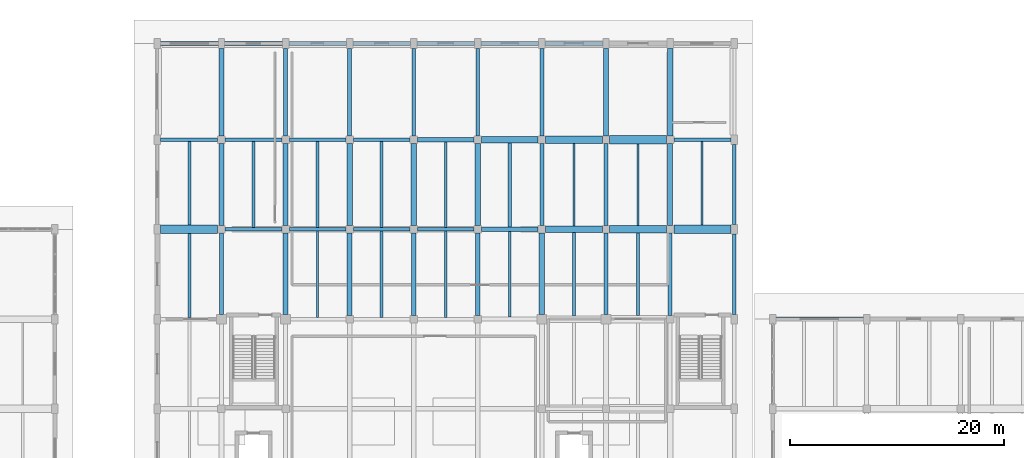
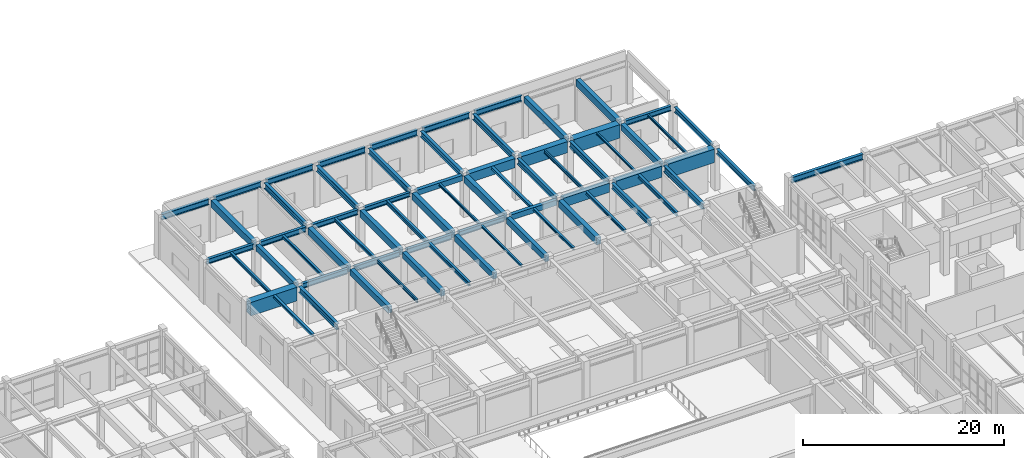
# One storey, part 49 of 91: 68 beams.
"""IFC4 building model written with IfcOpenShell, lengths in metres."""

from ifc_helpers import new_model, si_unit, direction, frame, origin, origin_2d, place, context, subcontext, project, spatial, rectangle, i_section, extrude, material, material_profile, profile_set, type_object, element, save


model = new_model("IFC4")

# Units and contexts
model_context = context("Model", 3, precision=1e-05, world=origin(), true_north=direction((0.0, 1.0)))
body_context = subcontext(model_context, "Body", "Model", "MODEL_VIEW")
ifc_project = project(units=[si_unit("LENGTHUNIT", "METRE"), si_unit("AREAUNIT", "SQUARE_METRE"), si_unit("VOLUMEUNIT", "CUBIC_METRE"), si_unit("PLANEANGLEUNIT", "RADIAN"), si_unit("MASSUNIT", "GRAM", prefix="KILO")], contexts=[model_context])

# Site, building, storey
site_placement = place(None, origin())
site = spatial("IfcSite", under=ifc_project, at=site_placement, CompositionType="ELEMENT")
building_placement = place(site_placement, origin())
building = spatial("IfcBuilding", under=site, at=building_placement, Name="Vaelkrest Opera House", CompositionType="ELEMENT")
storey_placement = place(building_placement, origin())
storey = spatial("IfcBuildingStorey", under=building, at=storey_placement, Name="L00", CompositionType="ELEMENT", Elevation=0.0)

# Beams
ifc_material_1 = material(Name="Concrete C50/60", Category="concrete")
ifc_material_profile_1 = material_profile(ifc_material_1, rectangle(XDim=0.39990234375, YDim=0.64990234375, at=origin_2d()), Name="RCB400X650")
ifc_profile_set_1 = profile_set([ifc_material_profile_1], Name="Concrete C50/60")
beam_type_1 = type_object("IfcBeamType", Name="B01", PredefinedType="BEAM", material=ifc_profile_set_1)
for number, where, z_axis, x_axis, name in (
    (1, (6.35009765625, 42.0, 4.7548828125), (1.0, 0.0, 0.0), (0.0, 1.0, 0.0), "Beam BM-V2-L00-0773"),
    (2, (0.35009765625, 50.39990234375, 4.7548828125), (1.0, 0.0, 0.0), (0.0, 1.0, 0.0), "Beam BM-V2-L00-0781"),
):
    element("IfcBeam", number, at=place(storey_placement, frame(where, z_axis=z_axis, x_axis=x_axis)), inside=storey, type_object=beam_type_1, Name=name, PredefinedType="BEAM", context=body_context, shape_type="SweptSolid", body=[
        extrude(rectangle(XDim=0.39990234375, YDim=0.64990234375, at=origin_2d()), origin(), (0.0, 0.0, 1.0), 5.2998046875),
    ])
ifc_material_profile_2 = material_profile(ifc_material_1, rectangle(XDim=0.449951171875, YDim=0.75, at=origin_2d()), Name="RCB450X750")
ifc_profile_set_2 = profile_set([ifc_material_profile_2], Name="Concrete C50/60")
beam_type_2 = type_object("IfcBeamType", Name="B02", PredefinedType="BEAM", material=ifc_profile_set_2)
beam_1_placement = place(storey_placement, frame((-18.0, 42.35009765625, 4.705078125), z_axis=(0.0, 1.0, 0.0), x_axis=(-1.0, 0.0, 0.0)))
element("IfcBeam", 3, at=beam_1_placement, inside=storey, type_object=beam_type_2, Name="Beam BM-V2-L00-0803", PredefinedType="BEAM", context=body_context, shape_type="SweptSolid", body=[
    extrude(rectangle(XDim=0.449951171875, YDim=0.75, at=origin_2d()), origin(), (0.0, 0.0, 1.0), 7.699951171875),
])
beam_2_placement = place(storey_placement, frame((-12.0, 34.050048828125, 4.705078125), z_axis=(0.0, 1.0, 0.0), x_axis=(-1.0, 0.0, 0.0)))
element("IfcBeam", 4, at=beam_2_placement, inside=storey, type_object=beam_type_2, Name="Beam BM-V2-L00-0807", PredefinedType="BEAM", context=body_context, shape_type="SweptSolid", body=[
    extrude(rectangle(XDim=0.449951171875, YDim=0.75, at=origin_2d()), origin(), (0.0, 0.0, 1.0), 7.599853515625),
])
for number, where, z_axis, x_axis, name in (
    (5, (-6.0, 33.949951171875, 4.705078125), (0.0, 1.0, 0.0), (-1.0, 0.0, 0.0), "Beam BM-V2-L00-0811"),
    (6, (0.0, 33.949951171875, 4.705078125), (0.0, 1.0, 0.0), (-1.0, 0.0, 0.0), "Beam BM-V2-L00-0815"),
    (7, (6.0, 33.949951171875, 4.705078125), (0.0, 1.0, 0.0), (-1.0, 0.0, 0.0), "Beam BM-V2-L00-0819"),
):
    element("IfcBeam", number, at=place(storey_placement, frame(where, z_axis=z_axis, x_axis=x_axis)), inside=storey, type_object=beam_type_2, Name=name, PredefinedType="BEAM", context=body_context, shape_type="SweptSolid", body=[
        extrude(rectangle(XDim=0.449951171875, YDim=0.75, at=origin_2d()), origin(), (0.0, 0.0, 1.0), 7.699951171875),
    ])
beam_3_placement = place(storey_placement, frame((18.0, 50.75, 4.72998046875), z_axis=(0.0, 1.0, 0.0), x_axis=(-1.0, 0.0, 0.0)))
element("IfcBeam", 8, at=beam_3_placement, inside=storey, type_object=beam_type_2, Name="Beam BM-V2-L00-0831", PredefinedType="BEAM", context=body_context, shape_type="SweptSolid", body=[
    extrude(rectangle(XDim=0.449951171875, YDim=0.75, at=origin_2d()), origin(), (0.0, 0.0, 1.0), 8.199951171875),
])
beam_4_placement = place(storey_placement, frame((24.0, 42.35009765625, 4.705078125), z_axis=(0.0, 1.0, 0.0), x_axis=(-1.0, 0.0, 0.0)))
element("IfcBeam", 9, at=beam_4_placement, inside=storey, type_object=beam_type_2, Name="Beam BM-V2-L00-0835", PredefinedType="BEAM", context=body_context, shape_type="SweptSolid", body=[
    extrude(rectangle(XDim=0.449951171875, YDim=0.75, at=origin_2d()), origin(), (0.0, 0.0, 1.0), 7.699951171875),
])
ifc_material_profile_3 = material_profile(ifc_material_1, rectangle(XDim=0.5, YDim=0.85009765625, at=origin_2d()), Name="RCB500X850")
ifc_profile_set_3 = profile_set([ifc_material_profile_3], Name="Concrete C50/60")
beam_type_3 = type_object("IfcBeamType", Name="B03", PredefinedType="BEAM", material=ifc_profile_set_3)
beam_5_placement = place(storey_placement, frame((-18.0, 50.75, 4.679931640625), z_axis=(0.0, 1.0, 0.0), x_axis=(-1.0, 0.0, 0.0)))
element("IfcBeam", 10, at=beam_5_placement, inside=storey, type_object=beam_type_3, Name="Beam BM-V2-L00-0804", PredefinedType="BEAM", context=body_context, shape_type="SweptSolid", body=[
    extrude(rectangle(XDim=0.5, YDim=0.85009765625, at=origin_2d()), origin(), (0.0, 0.0, 1.0), 8.199951171875),
])
for number, where, z_axis, x_axis, name in (
    (11, (-12.0, 42.35009765625, 4.655029296875), (0.0, 1.0, 0.0), (-1.0, 0.0, 0.0), "Beam BM-V2-L00-0808"),
    (12, (-6.0, 42.35009765625, 4.655029296875), (0.0, 1.0, 0.0), (-1.0, 0.0, 0.0), "Beam BM-V2-L00-0812"),
    (13, (0.0, 42.35009765625, 4.655029296875), (0.0, 1.0, 0.0), (-1.0, 0.0, 0.0), "Beam BM-V2-L00-0816"),
    (14, (6.0, 42.35009765625, 4.655029296875), (0.0, 1.0, 0.0), (-1.0, 0.0, 0.0), "Beam BM-V2-L00-0820"),
):
    element("IfcBeam", number, at=place(storey_placement, frame(where, z_axis=z_axis, x_axis=x_axis)), inside=storey, type_object=beam_type_3, Name=name, PredefinedType="BEAM", context=body_context, shape_type="SweptSolid", body=[
        extrude(rectangle(XDim=0.5, YDim=0.85009765625, at=origin_2d()), origin(), (0.0, 0.0, 1.0), 7.699951171875),
    ])
beam_6_placement = place(storey_placement, frame((12.0, 34.050048828125, 4.655029296875), z_axis=(0.0, 1.0, 0.0), x_axis=(-1.0, 0.0, 0.0)))
element("IfcBeam", 15, at=beam_6_placement, inside=storey, type_object=beam_type_3, Name="Beam BM-V2-L00-0824", PredefinedType="BEAM", context=body_context, shape_type="SweptSolid", body=[
    extrude(rectangle(XDim=0.5, YDim=0.85009765625, at=origin_2d()), origin(), (0.0, 0.0, 1.0), 7.599853515625),
])
beam_7_placement = place(storey_placement, frame((24.0, 50.75, 4.679931640625), z_axis=(0.0, 1.0, 0.0), x_axis=(-1.0, 0.0, 0.0)))
element("IfcBeam", 16, at=beam_7_placement, inside=storey, type_object=beam_type_3, Name="Beam BM-V2-L00-0836", PredefinedType="BEAM", context=body_context, shape_type="SweptSolid", body=[
    extrude(rectangle(XDim=0.5, YDim=0.85009765625, at=origin_2d()), origin(), (0.0, 0.0, 1.0), 8.199951171875),
])
ifc_material_profile_4 = material_profile(ifc_material_1, rectangle(XDim=0.60009765625, YDim=1.10009765625, at=origin_2d()), Name="RCB600X1100")
ifc_profile_set_4 = profile_set([ifc_material_profile_4], Name="Concrete C50/60")
beam_type_4 = type_object("IfcBeamType", Name="B05", PredefinedType="BEAM", material=ifc_profile_set_4)
for number, where, z_axis, x_axis, name in (
    (17, (12.35009765625, 42.0, 4.530029296875), (1.0, 0.0, 0.0), (0.0, 1.0, 0.0), "Beam BM-V2-L00-0774"),
    (18, (6.35009765625, 50.39990234375, 4.530029296875), (1.0, 0.0, 0.0), (0.0, 1.0, 0.0), "Beam BM-V2-L00-0782"),
):
    element("IfcBeam", number, at=place(storey_placement, frame(where, z_axis=z_axis, x_axis=x_axis)), inside=storey, type_object=beam_type_4, Name=name, PredefinedType="BEAM", context=body_context, shape_type="SweptSolid", body=[
        extrude(rectangle(XDim=0.60009765625, YDim=1.10009765625, at=origin_2d()), origin(), (0.0, 0.0, 1.0), 5.2998046875),
    ])
ifc_material_profile_5 = material_profile(ifc_material_1, rectangle(XDim=0.699951171875, YDim=1.35009765625, at=origin_2d()), Name="RCB700X1350")
ifc_profile_set_5 = profile_set([ifc_material_profile_5], Name="Concrete C50/60")
beam_type_5 = type_object("IfcBeamType", Name="B06", PredefinedType="BEAM", material=ifc_profile_set_5)
for number, where, z_axis, x_axis, name in (
    (19, (18.35009765625, 42.0, 4.405029296875), (1.0, 0.0, 0.0), (0.0, 1.0, 0.0), "Beam BM-V2-L00-0775"),
    (20, (12.35009765625, 50.39990234375, 4.405029296875), (1.0, 0.0, 0.0), (0.0, 1.0, 0.0), "Beam BM-V2-L00-0783"),
):
    element("IfcBeam", number, at=place(storey_placement, frame(where, z_axis=z_axis, x_axis=x_axis)), inside=storey, type_object=beam_type_5, Name=name, PredefinedType="BEAM", context=body_context, shape_type="SweptSolid", body=[
        extrude(rectangle(XDim=0.699951171875, YDim=1.35009765625, at=origin_2d()), origin(), (0.0, 0.0, 1.0), 5.2998046875),
    ])
ifc_material_profile_6 = material_profile(ifc_material_1, rectangle(XDim=0.800048828125, YDim=1.64990234375, at=origin_2d()), Name="RCB800X1650")
ifc_profile_set_6 = profile_set([ifc_material_profile_6], Name="Concrete C50/60")
beam_type_6 = type_object("IfcBeamType", Name="B07", PredefinedType="BEAM", material=ifc_profile_set_6)
for number, where, z_axis, x_axis, name in (
    (21, (-23.699951171875, 42.0, 4.2548828125), (1.0, 0.0, 0.0), (0.0, 1.0, 0.0), "Beam BM-V2-L00-0768"),
    (22, (24.35009765625, 42.0, 4.2548828125), (1.0, 0.0, 0.0), (0.0, 1.0, 0.0), "Beam BM-V2-L00-0776"),
):
    element("IfcBeam", number, at=place(storey_placement, frame(where, z_axis=z_axis, x_axis=x_axis)), inside=storey, type_object=beam_type_6, Name=name, PredefinedType="BEAM", context=body_context, shape_type="SweptSolid", body=[
        extrude(rectangle(XDim=0.800048828125, YDim=1.64990234375, at=origin_2d()), origin(), (0.0, 0.0, 1.0), 5.349853515625),
    ])
beam_8_placement = place(storey_placement, frame((18.35009765625, 50.39990234375, 4.2548828125), z_axis=(1.0, 0.0, 0.0), x_axis=(0.0, 1.0, 0.0)))
element("IfcBeam", 23, at=beam_8_placement, inside=storey, type_object=beam_type_6, Name="Beam BM-V2-L00-0784", PredefinedType="BEAM", context=body_context, shape_type="SweptSolid", body=[
    extrude(rectangle(XDim=0.800048828125, YDim=1.64990234375, at=origin_2d()), origin(), (0.0, 0.0, 1.0), 5.2998046875),
])
ifc_material_2 = material(Name="Steel A992 Gr50", Category="steel")
ifc_material_profile_7 = material_profile(ifc_material_2, i_section(OverallWidth=0.323974609375, OverallDepth=0.611083984375, WebThickness=0.0126953125, FlangeThickness=0.01904296875, at=origin_2d()), Name="W24X104")
ifc_profile_set_7 = profile_set([ifc_material_profile_7], Name="Steel A992 Gr50")
beam_type_7 = type_object("IfcBeamType", Name="B08", PredefinedType="BEAM", material=ifc_profile_set_7)
beam_9_placement = place(storey_placement, frame((-17.64990234375, 42.0, 4.7744140625), z_axis=(1.0, 0.0, 0.0), x_axis=(0.0, 1.0, 0.0)))
element("IfcBeam", 24, at=beam_9_placement, inside=storey, type_object=beam_type_7, Name="Beam BM-V2-L00-0769", PredefinedType="BEAM", context=body_context, shape_type="SweptSolid", body=[
    extrude(i_section(OverallWidth=0.323974609375, OverallDepth=0.611083984375, WebThickness=0.0126953125, FlangeThickness=0.01904296875, at=origin_2d()), origin(), (0.0, 0.0, 1.0), 5.2998046875),
])
for number, where, z_axis, x_axis, name in (
    (25, (-23.699951171875, 50.39990234375, 4.7744140625), (1.0, 0.0, 0.0), (0.0, 1.0, 0.0), "Beam BM-V2-L00-0777"),
    (26, (24.35009765625, 50.39990234375, 4.7744140625), (1.0, 0.0, 0.0), (0.0, 1.0, 0.0), "Beam BM-V2-L00-0785"),
):
    element("IfcBeam", number, at=place(storey_placement, frame(where, z_axis=z_axis, x_axis=x_axis)), inside=storey, type_object=beam_type_7, Name=name, PredefinedType="BEAM", context=body_context, shape_type="SweptSolid", body=[
        extrude(i_section(OverallWidth=0.323974609375, OverallDepth=0.611083984375, WebThickness=0.0126953125, FlangeThickness=0.01904296875, at=origin_2d()), origin(), (0.0, 0.0, 1.0), 5.349853515625),
    ])
ifc_material_profile_8 = material_profile(ifc_material_2, i_section(OverallWidth=0.327880859375, OverallDepth=0.6279296875, WebThickness=0.0166015625, FlangeThickness=0.027587890625, at=origin_2d()), Name="W24X146")
ifc_profile_set_8 = profile_set([ifc_material_profile_8], Name="Steel A992 Gr50")
beam_type_8 = type_object("IfcBeamType", Name="B09", PredefinedType="BEAM", material=ifc_profile_set_8)
for number, where, z_axis, x_axis, name in (
    (27, (-11.64990234375, 42.0, 4.76611328125), (1.0, 0.0, 0.0), (0.0, 1.0, 0.0), "Beam BM-V2-L00-0770"),
    (28, (-17.64990234375, 50.39990234375, 4.76611328125), (1.0, 0.0, 0.0), (0.0, 1.0, 0.0), "Beam BM-V2-L00-0778"),
):
    element("IfcBeam", number, at=place(storey_placement, frame(where, z_axis=z_axis, x_axis=x_axis)), inside=storey, type_object=beam_type_8, Name=name, PredefinedType="BEAM", context=body_context, shape_type="SweptSolid", body=[
        extrude(i_section(OverallWidth=0.327880859375, OverallDepth=0.6279296875, WebThickness=0.0166015625, FlangeThickness=0.027587890625, at=origin_2d()), origin(), (0.0, 0.0, 1.0), 5.2998046875),
    ])
ifc_material_profile_9 = material_profile(ifc_material_2, i_section(OverallWidth=0.35498046875, OverallDepth=0.695068359375, WebThickness=0.015380859375, FlangeThickness=0.02490234375, at=origin_2d()), Name="W27X146")
ifc_profile_set_9 = profile_set([ifc_material_profile_9], Name="Steel A992 Gr50")
beam_type_9 = type_object("IfcBeamType", Name="B10", PredefinedType="BEAM", material=ifc_profile_set_9)
for number, where, z_axis, x_axis, name in (
    (29, (-12.0, 50.75, 4.757568359375), (0.0, 1.0, 0.0), (-1.0, 0.0, 0.0), "Beam BM-V2-L00-0809"),
    (30, (-6.0, 50.75, 4.757568359375), (0.0, 1.0, 0.0), (-1.0, 0.0, 0.0), "Beam BM-V2-L00-0813"),
    (31, (0.0, 50.75, 4.757568359375), (0.0, 1.0, 0.0), (-1.0, 0.0, 0.0), "Beam BM-V2-L00-0817"),
    (32, (6.0, 50.75, 4.757568359375), (0.0, 1.0, 0.0), (-1.0, 0.0, 0.0), "Beam BM-V2-L00-0821"),
):
    element("IfcBeam", number, at=place(storey_placement, frame(where, z_axis=z_axis, x_axis=x_axis)), inside=storey, type_object=beam_type_9, Name=name, PredefinedType="BEAM", context=body_context, shape_type="SweptSolid", body=[
        extrude(i_section(OverallWidth=0.35498046875, OverallDepth=0.695068359375, WebThickness=0.015380859375, FlangeThickness=0.02490234375, at=origin_2d()), origin(), (0.0, 0.0, 1.0), 8.199951171875),
    ])
beam_10_placement = place(storey_placement, frame((12.0, 42.35009765625, 4.732421875), z_axis=(0.0, 1.0, 0.0), x_axis=(-1.0, 0.0, 0.0)))
element("IfcBeam", 33, at=beam_10_placement, inside=storey, type_object=beam_type_9, Name="Beam BM-V2-L00-0825", PredefinedType="BEAM", context=body_context, shape_type="SweptSolid", body=[
    extrude(i_section(OverallWidth=0.35498046875, OverallDepth=0.695068359375, WebThickness=0.015380859375, FlangeThickness=0.02490234375, at=origin_2d()), origin(), (0.0, 0.0, 1.0), 7.699951171875),
])
beam_11_placement = place(storey_placement, frame((18.0, 34.050048828125, 4.732421875), z_axis=(0.0, 1.0, 0.0), x_axis=(-1.0, 0.0, 0.0)))
element("IfcBeam", 34, at=beam_11_placement, inside=storey, type_object=beam_type_9, Name="Beam BM-V2-L00-0829", PredefinedType="BEAM", context=body_context, shape_type="SweptSolid", body=[
    extrude(i_section(OverallWidth=0.35498046875, OverallDepth=0.695068359375, WebThickness=0.015380859375, FlangeThickness=0.02490234375, at=origin_2d()), origin(), (0.0, 0.0, 1.0), 7.599853515625),
])
ifc_material_profile_10 = material_profile(ifc_material_2, i_section(OverallWidth=0.35791015625, OverallDepth=0.7060546875, WebThickness=0.018310546875, FlangeThickness=0.0302734375, at=origin_2d()), Name="W27X178")
ifc_profile_set_10 = profile_set([ifc_material_profile_10], Name="Steel A992 Gr50")
beam_type_10 = type_object("IfcBeamType", Name="B14", PredefinedType="BEAM", material=ifc_profile_set_10)
beam_12_placement = place(storey_placement, frame((-18.0, 34.050048828125, 4.72705078125), z_axis=(0.0, 1.0, 0.0), x_axis=(-1.0, 0.0, 0.0)))
element("IfcBeam", 35, at=beam_12_placement, inside=storey, type_object=beam_type_10, Name="Beam BM-V2-L00-0802", PredefinedType="BEAM", context=body_context, shape_type="SweptSolid", body=[
    extrude(i_section(OverallWidth=0.35791015625, OverallDepth=0.7060546875, WebThickness=0.018310546875, FlangeThickness=0.0302734375, at=origin_2d()), origin(), (0.0, 0.0, 1.0), 7.599853515625),
])
beam_13_placement = place(storey_placement, frame((12.0, 50.75, 4.751953125), z_axis=(0.0, 1.0, 0.0), x_axis=(-1.0, 0.0, 0.0)))
element("IfcBeam", 36, at=beam_13_placement, inside=storey, type_object=beam_type_10, Name="Beam BM-V2-L00-0826", PredefinedType="BEAM", context=body_context, shape_type="SweptSolid", body=[
    extrude(i_section(OverallWidth=0.35791015625, OverallDepth=0.7060546875, WebThickness=0.018310546875, FlangeThickness=0.0302734375, at=origin_2d()), origin(), (0.0, 0.0, 1.0), 8.199951171875),
])
for number, where, z_axis, x_axis, name in (
    (37, (18.0, 42.35009765625, 4.72705078125), (0.0, 1.0, 0.0), (-1.0, 0.0, 0.0), "Beam BM-V2-L00-0830"),
    (38, (24.0, 33.949951171875, 4.72705078125), (0.0, 1.0, 0.0), (-1.0, 0.0, 0.0), "Beam BM-V2-L00-0834"),
):
    element("IfcBeam", number, at=place(storey_placement, frame(where, z_axis=z_axis, x_axis=x_axis)), inside=storey, type_object=beam_type_10, Name=name, PredefinedType="BEAM", context=body_context, shape_type="SweptSolid", body=[
        extrude(i_section(OverallWidth=0.35791015625, OverallDepth=0.7060546875, WebThickness=0.018310546875, FlangeThickness=0.0302734375, at=origin_2d()), origin(), (0.0, 0.0, 1.0), 7.699951171875),
    ])
ifc_material_profile_11 = material_profile(ifc_material_2, i_section(OverallWidth=0.326904296875, OverallDepth=0.6220703125, WebThickness=0.015380859375, FlangeThickness=0.0244140625, at=origin_2d()), Name="W24X131")
ifc_profile_set_11 = profile_set([ifc_material_profile_11], Name="Steel A992 Gr50")
beam_type_11 = type_object("IfcBeamType", Name="B19", PredefinedType="BEAM", material=ifc_profile_set_11)
for number, where, z_axis, x_axis, name in (
    (39, (-5.64990234375, 42.0, 4.76904296875), (1.0, 0.0, 0.0), (0.0, 1.0, 0.0), "Beam BM-V2-L00-0771"),
    (40, (-11.64990234375, 50.39990234375, 4.76904296875), (1.0, 0.0, 0.0), (0.0, 1.0, 0.0), "Beam BM-V2-L00-0779"),
):
    element("IfcBeam", number, at=place(storey_placement, frame(where, z_axis=z_axis, x_axis=x_axis)), inside=storey, type_object=beam_type_11, Name=name, PredefinedType="BEAM", context=body_context, shape_type="SweptSolid", body=[
        extrude(i_section(OverallWidth=0.326904296875, OverallDepth=0.6220703125, WebThickness=0.015380859375, FlangeThickness=0.0244140625, at=origin_2d()), origin(), (0.0, 0.0, 1.0), 5.2998046875),
    ])
ifc_material_profile_12 = material_profile(ifc_material_2, i_section(OverallWidth=0.31494140625, OverallDepth=0.551025390625, WebThickness=0.01513671875, FlangeThickness=0.0244140625, at=origin_2d()), Name="W21X122")
ifc_profile_set_12 = profile_set([ifc_material_profile_12], Name="Steel A992 Gr50")
beam_type_12 = type_object("IfcBeamType", Name="B20", PredefinedType="BEAM", material=ifc_profile_set_12)
for number, where, z_axis, x_axis, name in (
    (41, (0.35009765625, 42.0, 4.804443359375), (1.0, 0.0, 0.0), (0.0, 1.0, 0.0), "Beam BM-V2-L00-0772"),
    (42, (-5.64990234375, 50.39990234375, 4.804443359375), (1.0, 0.0, 0.0), (0.0, 1.0, 0.0), "Beam BM-V2-L00-0780"),
):
    element("IfcBeam", number, at=place(storey_placement, frame(where, z_axis=z_axis, x_axis=x_axis)), inside=storey, type_object=beam_type_12, Name=name, PredefinedType="BEAM", context=body_context, shape_type="SweptSolid", body=[
        extrude(i_section(OverallWidth=0.31494140625, OverallDepth=0.551025390625, WebThickness=0.01513671875, FlangeThickness=0.0244140625, at=origin_2d()), origin(), (0.0, 0.0, 1.0), 5.2998046875),
    ])
ifc_material_profile_13 = material_profile(ifc_material_2, i_section(OverallWidth=0.2041015625, OverallDepth=0.257080078125, WebThickness=0.0087890625, FlangeThickness=0.015625, at=origin_2d()), Name="W10X45")
ifc_profile_set_13 = profile_set([ifc_material_profile_13], Name="Steel A992 Gr50")
beam_type_13 = type_object("IfcBeamType", Name="J01", PredefinedType="JOIST", material=ifc_profile_set_13)
beam_14_placement = place(storey_placement, frame((3.0, 33.757568359375, 4.951416015625), z_axis=(0.0, 1.0, 0.0), x_axis=(-1.0, 0.0, 0.0)))
element("IfcBeam", 43, at=beam_14_placement, inside=storey, type_object=beam_type_13, Name="Floor joist JST-V2-L00-0851", PredefinedType="JOIST", context=body_context, shape_type="SweptSolid", body=[
    extrude(i_section(OverallWidth=0.2041015625, OverallDepth=0.257080078125, WebThickness=0.0087890625, FlangeThickness=0.015625, at=origin_2d()), origin(), (0.0, 0.0, 1.0), 8.0849609375),
])
beam_15_placement = place(storey_placement, frame((21.0, 42.35009765625, 4.951416015625), z_axis=(0.0, 1.0, 0.0), x_axis=(-1.0, 0.0, 0.0)))
element("IfcBeam", 44, at=beam_15_placement, inside=storey, type_object=beam_type_13, Name="Floor joist JST-V2-L00-0861", PredefinedType="JOIST", context=body_context, shape_type="SweptSolid", body=[
    extrude(i_section(OverallWidth=0.2041015625, OverallDepth=0.257080078125, WebThickness=0.0087890625, FlangeThickness=0.015625, at=origin_2d()), origin(), (0.0, 0.0, 1.0), 7.64990234375),
])
ifc_material_profile_14 = material_profile(ifc_material_2, i_section(OverallWidth=0.202880859375, OverallDepth=0.302978515625, WebThickness=0.007568359375, FlangeThickness=0.01318359375, at=origin_2d()), Name="W12X40")
ifc_profile_set_14 = profile_set([ifc_material_profile_14], Name="Steel A992 Gr50")
beam_type_14 = type_object("IfcBeamType", Name="J02", PredefinedType="JOIST", material=ifc_profile_set_14)
beam_16_placement = place(storey_placement, frame((3.0, 42.157470703125, 4.928466796875), z_axis=(0.0, 1.0, 0.0), x_axis=(-1.0, 0.0, 0.0)))
element("IfcBeam", 45, at=beam_16_placement, inside=storey, type_object=beam_type_14, Name="Floor joist JST-V2-L00-0852", PredefinedType="JOIST", context=body_context, shape_type="SweptSolid", body=[
    extrude(i_section(OverallWidth=0.202880859375, OverallDepth=0.302978515625, WebThickness=0.007568359375, FlangeThickness=0.01318359375, at=origin_2d()), origin(), (0.0, 0.0, 1.0), 8.04248046875),
])
beam_17_placement = place(storey_placement, frame((27.0, 42.39990234375, 4.928466796875), z_axis=(0.0, 1.0, 0.0), x_axis=(-1.0, 0.0, 0.0)))
element("IfcBeam", 46, at=beam_17_placement, inside=storey, type_object=beam_type_14, Name="Floor joist JST-V2-L00-0862", PredefinedType="JOIST", context=body_context, shape_type="SweptSolid", body=[
    extrude(i_section(OverallWidth=0.202880859375, OverallDepth=0.302978515625, WebThickness=0.007568359375, FlangeThickness=0.01318359375, at=origin_2d()), origin(), (0.0, 0.0, 1.0), 7.838134765625),
])
ifc_material_profile_15 = material_profile(ifc_material_2, i_section(OverallWidth=0.25390625, OverallDepth=0.305908203125, WebThickness=0.0087890625, FlangeThickness=0.0146484375, at=origin_2d()), Name="W12X53")
ifc_profile_set_15 = profile_set([ifc_material_profile_15], Name="Steel A992 Gr50")
beam_type_15 = type_object("IfcBeamType", Name="J03", PredefinedType="JOIST", material=ifc_profile_set_15)
beam_18_placement = place(storey_placement, frame((9.0, 33.800048828125, 4.927001953125), z_axis=(0.0, 1.0, 0.0), x_axis=(-1.0, 0.0, 0.0)))
element("IfcBeam", 47, at=beam_18_placement, inside=storey, type_object=beam_type_15, Name="Floor joist JST-V2-L00-0853", PredefinedType="JOIST", context=body_context, shape_type="SweptSolid", body=[
    extrude(i_section(OverallWidth=0.25390625, OverallDepth=0.305908203125, WebThickness=0.0087890625, FlangeThickness=0.0146484375, at=origin_2d()), origin(), (0.0, 0.0, 1.0), 8.0),
])
ifc_material_profile_16 = material_profile(ifc_material_2, i_section(OverallWidth=0.304931640625, OverallDepth=0.30810546875, WebThickness=0.010009765625, FlangeThickness=0.015380859375, at=origin_2d()), Name="W12X65")
ifc_profile_set_16 = profile_set([ifc_material_profile_16], Name="Steel A992 Gr50")
beam_type_16 = type_object("IfcBeamType", Name="J04", PredefinedType="JOIST", material=ifc_profile_set_16)
beam_19_placement = place(storey_placement, frame((-21.0, 33.761962890625, 4.926025390625), z_axis=(0.0, 1.0, 0.0), x_axis=(-1.0, 0.0, 0.0)))
element("IfcBeam", 48, at=beam_19_placement, inside=storey, type_object=beam_type_16, Name="Floor joist JST-V2-L00-0844", PredefinedType="JOIST", context=body_context, shape_type="SweptSolid", body=[
    extrude(i_section(OverallWidth=0.304931640625, OverallDepth=0.30810546875, WebThickness=0.010009765625, FlangeThickness=0.015380859375, at=origin_2d()), origin(), (0.0, 0.0, 1.0), 7.838134765625),
])
beam_20_placement = place(storey_placement, frame((9.0, 42.199951171875, 4.926025390625), z_axis=(0.0, 1.0, 0.0), x_axis=(-1.0, 0.0, 0.0)))
element("IfcBeam", 49, at=beam_20_placement, inside=storey, type_object=beam_type_16, Name="Floor joist JST-V2-L00-0854", PredefinedType="JOIST", context=body_context, shape_type="SweptSolid", body=[
    extrude(i_section(OverallWidth=0.304931640625, OverallDepth=0.30810546875, WebThickness=0.010009765625, FlangeThickness=0.015380859375, at=origin_2d()), origin(), (0.0, 0.0, 1.0), 7.900146484375),
])
ifc_material_profile_17 = material_profile(ifc_material_2, i_section(OverallWidth=0.2548828125, OverallDepth=0.35693359375, WebThickness=0.010498046875, FlangeThickness=0.018310546875, at=origin_2d()), Name="W14X68")
ifc_profile_set_17 = profile_set([ifc_material_profile_17], Name="Steel A992 Gr50")
beam_type_17 = type_object("IfcBeamType", Name="J05", PredefinedType="JOIST", material=ifc_profile_set_17)
beam_21_placement = place(storey_placement, frame((-21.0, 42.39990234375, 4.901611328125), z_axis=(0.0, 1.0, 0.0), x_axis=(-1.0, 0.0, 0.0)))
element("IfcBeam", 50, at=beam_21_placement, inside=storey, type_object=beam_type_17, Name="Floor joist JST-V2-L00-0845", PredefinedType="JOIST", context=body_context, shape_type="SweptSolid", body=[
    extrude(i_section(OverallWidth=0.2548828125, OverallDepth=0.35693359375, WebThickness=0.010498046875, FlangeThickness=0.018310546875, at=origin_2d()), origin(), (0.0, 0.0, 1.0), 7.838134765625),
])
ifc_material_profile_18 = material_profile(ifc_material_2, i_section(OverallWidth=0.257080078125, OverallDepth=0.363037109375, WebThickness=0.012939453125, FlangeThickness=0.021728515625, at=origin_2d()), Name="W14X82")
ifc_profile_set_18 = profile_set([ifc_material_profile_18], Name="Steel A992 Gr50")
beam_type_18 = type_object("IfcBeamType", Name="J06", PredefinedType="JOIST", material=ifc_profile_set_18)
beam_22_placement = place(storey_placement, frame((-15.0, 42.162109375, 4.8984375), z_axis=(0.0, 1.0, 0.0), x_axis=(-1.0, 0.0, 0.0)))
element("IfcBeam", 51, at=beam_22_placement, inside=storey, type_object=beam_type_18, Name="Floor joist JST-V2-L00-0846", PredefinedType="JOIST", context=body_context, shape_type="SweptSolid", body=[
    extrude(i_section(OverallWidth=0.257080078125, OverallDepth=0.363037109375, WebThickness=0.012939453125, FlangeThickness=0.021728515625, at=origin_2d()), origin(), (0.0, 0.0, 1.0), 8.073974609375),
])
beam_23_placement = place(storey_placement, frame((15.0, 33.89990234375, 4.8984375), z_axis=(0.0, 1.0, 0.0), x_axis=(-1.0, 0.0, 0.0)))
element("IfcBeam", 52, at=beam_23_placement, inside=storey, type_object=beam_type_18, Name="Floor joist JST-V2-L00-0856", PredefinedType="JOIST", context=body_context, shape_type="SweptSolid", body=[
    extrude(i_section(OverallWidth=0.257080078125, OverallDepth=0.363037109375, WebThickness=0.012939453125, FlangeThickness=0.021728515625, at=origin_2d()), origin(), (0.0, 0.0, 1.0), 7.800048828125),
])
ifc_material_profile_19 = material_profile(ifc_material_2, i_section(OverallWidth=0.180908203125, OverallDepth=0.4169921875, WebThickness=0.010986328125, FlangeThickness=0.018310546875, at=origin_2d()), Name="W16X57")
ifc_profile_set_19 = profile_set([ifc_material_profile_19], Name="Steel A992 Gr50")
beam_type_19 = type_object("IfcBeamType", Name="J07", PredefinedType="JOIST", material=ifc_profile_set_19)
beam_24_placement = place(storey_placement, frame((-9.0, 33.763916015625, 4.87158203125), z_axis=(0.0, 1.0, 0.0), x_axis=(-1.0, 0.0, 0.0)))
element("IfcBeam", 53, at=beam_24_placement, inside=storey, type_object=beam_type_19, Name="Floor joist JST-V2-L00-0847", PredefinedType="JOIST", context=body_context, shape_type="SweptSolid", body=[
    extrude(i_section(OverallWidth=0.180908203125, OverallDepth=0.4169921875, WebThickness=0.010986328125, FlangeThickness=0.018310546875, at=origin_2d()), origin(), (0.0, 0.0, 1.0), 8.072021484375),
])
beam_25_placement = place(storey_placement, frame((15.0, 42.300048828125, 4.87158203125), z_axis=(0.0, 1.0, 0.0), x_axis=(-1.0, 0.0, 0.0)))
element("IfcBeam", 54, at=beam_25_placement, inside=storey, type_object=beam_type_19, Name="Floor joist JST-V2-L00-0857", PredefinedType="JOIST", context=body_context, shape_type="SweptSolid", body=[
    extrude(i_section(OverallWidth=0.180908203125, OverallDepth=0.4169921875, WebThickness=0.010986328125, FlangeThickness=0.018310546875, at=origin_2d()), origin(), (0.0, 0.0, 1.0), 7.75),
])
ifc_material_profile_20 = material_profile(ifc_material_2, i_section(OverallWidth=0.261962890625, OverallDepth=0.4189453125, WebThickness=0.01171875, FlangeThickness=0.019287109375, at=origin_2d()), Name="W16X77")
ifc_profile_set_20 = profile_set([ifc_material_profile_20], Name="Steel A992 Gr50")
beam_type_20 = type_object("IfcBeamType", Name="J08", PredefinedType="JOIST", material=ifc_profile_set_20)
beam_26_placement = place(storey_placement, frame((-9.0, 42.1640625, 4.87060546875), z_axis=(0.0, 1.0, 0.0), x_axis=(-1.0, 0.0, 0.0)))
element("IfcBeam", 55, at=beam_26_placement, inside=storey, type_object=beam_type_20, Name="Floor joist JST-V2-L00-0848", PredefinedType="JOIST", context=body_context, shape_type="SweptSolid", body=[
    extrude(i_section(OverallWidth=0.261962890625, OverallDepth=0.4189453125, WebThickness=0.01171875, FlangeThickness=0.019287109375, at=origin_2d()), origin(), (0.0, 0.0, 1.0), 8.072509765625),
])
ifc_material_profile_21 = material_profile(ifc_material_2, i_section(OverallWidth=0.280029296875, OverallDepth=0.462890625, WebThickness=0.0107421875, FlangeThickness=0.017333984375, at=origin_2d()), Name="W18X76")
ifc_profile_set_21 = profile_set([ifc_material_profile_21], Name="Steel A992 Gr50")
beam_type_21 = type_object("IfcBeamType", Name="J09", PredefinedType="JOIST", material=ifc_profile_set_21)
beam_27_placement = place(storey_placement, frame((-3.0, 33.763427734375, 4.848388671875), z_axis=(0.0, 1.0, 0.0), x_axis=(-1.0, 0.0, 0.0)))
element("IfcBeam", 56, at=beam_27_placement, inside=storey, type_object=beam_type_21, Name="Floor joist JST-V2-L00-0849", PredefinedType="JOIST", context=body_context, shape_type="SweptSolid", body=[
    extrude(i_section(OverallWidth=0.280029296875, OverallDepth=0.462890625, WebThickness=0.0107421875, FlangeThickness=0.017333984375, at=origin_2d()), origin(), (0.0, 0.0, 1.0), 8.072998046875),
])
ifc_material_profile_22 = material_profile(ifc_material_2, i_section(OverallWidth=0.282958984375, OverallDepth=0.471923828125, WebThickness=0.013671875, FlangeThickness=0.022216796875, at=origin_2d()), Name="W18X97")
ifc_profile_set_22 = profile_set([ifc_material_profile_22], Name="Steel A992 Gr50")
beam_type_22 = type_object("IfcBeamType", Name="J10", PredefinedType="JOIST", material=ifc_profile_set_22)
beam_28_placement = place(storey_placement, frame((-3.0, 42.16357421875, 4.843994140625), z_axis=(0.0, 1.0, 0.0), x_axis=(-1.0, 0.0, 0.0)))
element("IfcBeam", 57, at=beam_28_placement, inside=storey, type_object=beam_type_22, Name="Floor joist JST-V2-L00-0850", PredefinedType="JOIST", context=body_context, shape_type="SweptSolid", body=[
    extrude(i_section(OverallWidth=0.282958984375, OverallDepth=0.471923828125, WebThickness=0.013671875, FlangeThickness=0.022216796875, at=origin_2d()), origin(), (0.0, 0.0, 1.0), 8.078857421875),
])
beam_29_placement = place(storey_placement, frame((21.0, 33.949951171875, 4.843994140625), z_axis=(0.0, 1.0, 0.0), x_axis=(-1.0, 0.0, 0.0)))
element("IfcBeam", 58, at=beam_29_placement, inside=storey, type_object=beam_type_22, Name="Floor joist JST-V2-L00-0860", PredefinedType="JOIST", context=body_context, shape_type="SweptSolid", body=[
    extrude(i_section(OverallWidth=0.282958984375, OverallDepth=0.471923828125, WebThickness=0.013671875, FlangeThickness=0.022216796875, at=origin_2d()), origin(), (0.0, 0.0, 1.0), 7.699951171875),
])
ifc_material_profile_23 = material_profile(ifc_material_2, i_section(OverallWidth=0.323974609375, OverallDepth=0.611083984375, WebThickness=0.0126953125, FlangeThickness=0.01904296875, at=origin_2d()), Name="W24X104")
ifc_profile_set_23 = profile_set([ifc_material_profile_23], Name="Steel A992 Gr50")
beam_type_23 = type_object("IfcBeamType", Name="SP01", PredefinedType="SPANDREL", material=ifc_profile_set_23)
for number, where, z_axis, x_axis, name in (
    (59, (30.0, 34.050048828125, 4.7744140625), (0.0, 1.0, 0.0), (-1.0, 0.0, 0.0), "Beam BM-V2-L00-0839"),
    (60, (30.0, 42.449951171875, 4.7744140625), (0.0, 1.0, 0.0), (-1.0, 0.0, 0.0), "Beam BM-V2-L00-0840"),
):
    element("IfcBeam", number, at=place(storey_placement, frame(where, z_axis=z_axis, x_axis=x_axis)), inside=storey, type_object=beam_type_23, Name=name, PredefinedType="SPANDREL", context=body_context, shape_type="SweptSolid", body=[
        extrude(i_section(OverallWidth=0.323974609375, OverallDepth=0.611083984375, WebThickness=0.0126953125, FlangeThickness=0.01904296875, at=origin_2d()), origin(), (0.0, 0.0, 1.0), 7.5),
    ])
ifc_material_profile_24 = material_profile(ifc_material_2, i_section(OverallWidth=0.35498046875, OverallDepth=0.695068359375, WebThickness=0.015380859375, FlangeThickness=0.02490234375, at=origin_2d()), Name="W27X146")
ifc_profile_set_24 = profile_set([ifc_material_profile_24], Name="Steel A992 Gr50")
beam_type_24 = type_object("IfcBeamType", Name="SP02", PredefinedType="SPANDREL", material=ifc_profile_set_24)
for number, where, z_axis, x_axis, name in (
    (61, (-23.699951171875, 59.39990234375, 4.757568359375), (1.0, 0.0, 0.0), (0.0, 1.0, 0.0), "Beam BM-V2-L00-0786"),
    (62, (-17.699951171875, 59.39990234375, 4.757568359375), (1.0, 0.0, 0.0), (0.0, 1.0, 0.0), "Beam BM-V2-L00-0787"),
    (63, (-11.699951171875, 59.39990234375, 4.757568359375), (1.0, 0.0, 0.0), (0.0, 1.0, 0.0), "Beam BM-V2-L00-0788"),
    (64, (-5.699951171875, 59.39990234375, 4.757568359375), (1.0, 0.0, 0.0), (0.0, 1.0, 0.0), "Beam BM-V2-L00-0789"),
    (65, (0.300048828125, 59.39990234375, 4.757568359375), (1.0, 0.0, 0.0), (0.0, 1.0, 0.0), "Beam BM-V2-L00-0790"),
    (66, (6.300048828125, 59.39990234375, 4.757568359375), (1.0, 0.0, 0.0), (0.0, 1.0, 0.0), "Beam BM-V2-L00-0791"),
    (67, (12.300048828125, 59.39990234375, 4.757568359375), (1.0, 0.0, 0.0), (0.0, 1.0, 0.0), "Beam BM-V2-L00-0792"),
):
    element("IfcBeam", number, at=place(storey_placement, frame(where, z_axis=z_axis, x_axis=x_axis)), inside=storey, type_object=beam_type_24, Name=name, PredefinedType="SPANDREL", context=body_context, shape_type="SweptSolid", body=[
        extrude(i_section(OverallWidth=0.35498046875, OverallDepth=0.695068359375, WebThickness=0.015380859375, FlangeThickness=0.02490234375, at=origin_2d()), origin(), (0.0, 0.0, 1.0), 5.39990234375),
    ])
beam_30_placement = place(storey_placement, frame((33.89990234375, 33.60009765625, 4.732421875), z_axis=(1.0, 0.0, 0.0), x_axis=(0.0, 1.0, 0.0)))
element("IfcBeam", 68, at=beam_30_placement, inside=storey, type_object=beam_type_24, Name="Beam BM-V4-L00-1987", PredefinedType="SPANDREL", context=body_context, shape_type="SweptSolid", body=[
    extrude(i_section(OverallWidth=0.35498046875, OverallDepth=0.695068359375, WebThickness=0.015380859375, FlangeThickness=0.02490234375, at=origin_2d()), origin(), (0.0, 0.0, 1.0), 8.2001953125),
])

save(model, "model.ifc")
